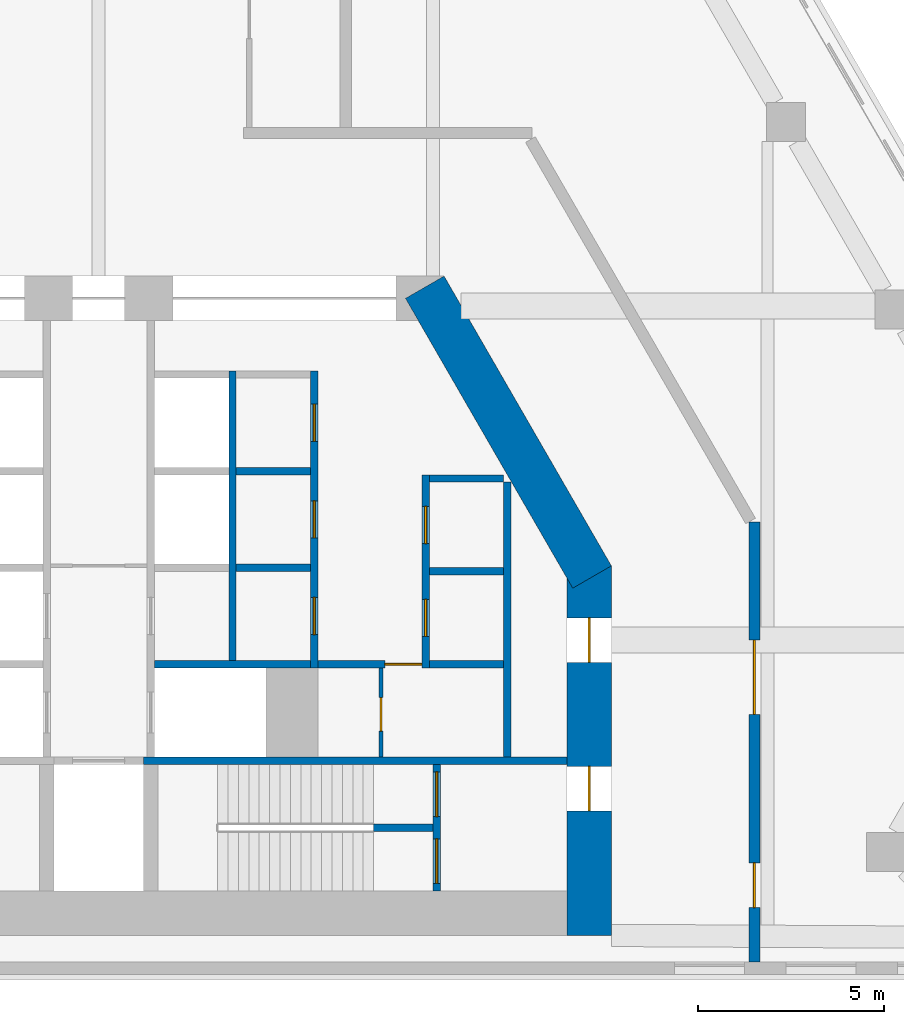
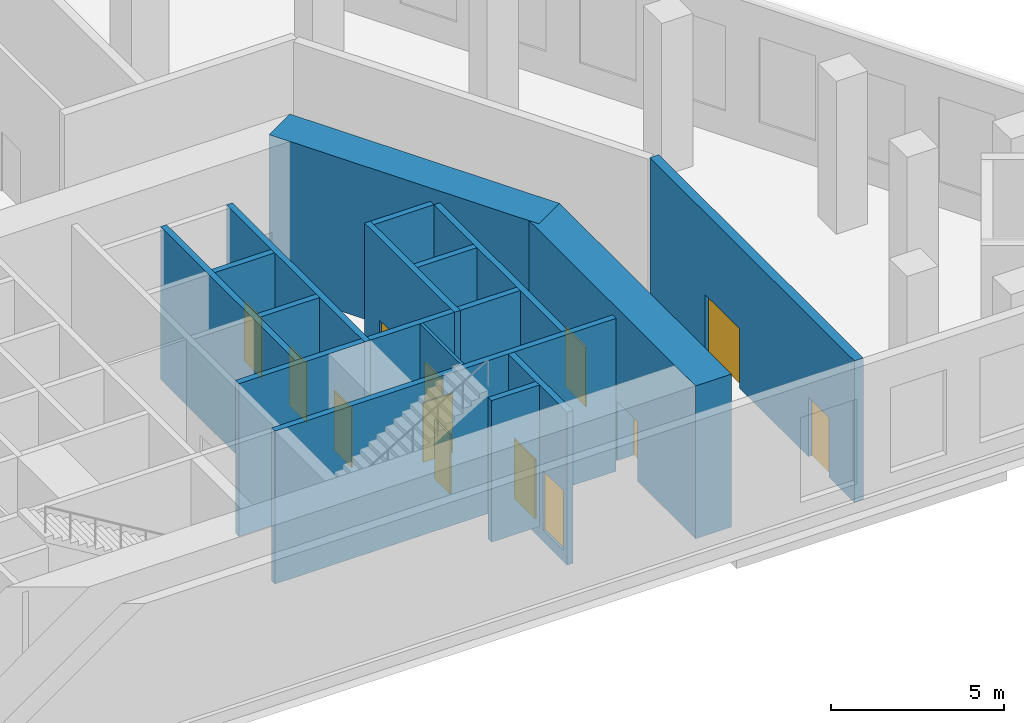
# One storey, part 6 of 10: 18 walls, 13 doors, 13 openings.
"""IFC4 building model written with IfcOpenShell, lengths in metres."""

from ifc_helpers import new_model, si_unit, direction, frame, frame_2d, origin, place, context, subcontext, project, spatial, rectangle, extrude, material, layer, layer_set, type_object, element, fill, save


model = new_model("IFC4")

# Units and contexts
model_context = context("Model", 3, precision=1e-05, world=origin(), true_north=direction((0.0, 1.0)))
body_context = subcontext(model_context, "Body", "Model", "MODEL_VIEW")
ifc_project = project(units=[si_unit("LENGTHUNIT", "METRE"), si_unit("AREAUNIT", "SQUARE_METRE"), si_unit("VOLUMEUNIT", "CUBIC_METRE"), si_unit("PLANEANGLEUNIT", "RADIAN"), si_unit("MASSUNIT", "GRAM", prefix="KILO")], contexts=[model_context])

# Site, building, storey
site_placement = place(None, origin())
site = spatial("IfcSite", under=ifc_project, at=site_placement, CompositionType="ELEMENT")
building_placement = place(site_placement, origin())
building = spatial("IfcBuilding", under=site, at=building_placement, Name="Fogline Exchange Tower", CompositionType="ELEMENT")
storey_placement = place(building_placement, frame((0.0, 0.0, 132.10009765625)))
storey = spatial("IfcBuildingStorey", under=building, at=storey_placement, Name="L29", CompositionType="ELEMENT", Elevation=132.10009765625)

# Wall, opening, door
ifc_material_1 = material(Name="Blockwork partition", Category="masonry")
ifc_layer_1 = layer(ifc_material_1, 0.10009765625)
ifc_layer_set_1 = layer_set([ifc_layer_1], Name="CW10")
wall_type_1 = type_object("IfcWallType", Name="CW10", PredefinedType="PARTITIONING", material=ifc_layer_set_1)
wall_1_placement = place(storey_placement, frame((7.60009765625, 5.85009765625, 0.0), z_axis=(0.0, 0.0, 1.0), x_axis=(0.0, 1.0, 0.0)))
wall_1 = element("IfcWall", 1, at=wall_1_placement, inside=storey, type_object=wall_type_1, Name="WC partition", PredefinedType="PARTITIONING", context=body_context, shape_type="SweptSolid", body=[
    extrude(rectangle(XDim=2.39990234375, YDim=0.10009765625, at=frame_2d((1.199951171875, 0.0))), origin(), (0.0, 0.0, 1.0), 5.0),
])
opening_1_placement = place(wall_1_placement, frame((0.699951171875, 0.0, 0.0)))
opening_1 = element("IfcOpeningElement", 2, at=opening_1_placement, cuts=wall_1, Name="Opening L29-C013", PredefinedType="OPENING", context=body_context, shape_type="SweptSolid", body=[
    extrude(rectangle(XDim=0.89990234375, YDim=2.10009765625, at=frame_2d((0.449951171875, 1.050048828125))), frame((0.0, 0.06005859375, 0.0), z_axis=(0.0, -1.0, 0.0), x_axis=(1.0, 0.0, 0.0)), (0.0, 0.0, 1.0), 0.1201171875),
])
ifc_material_2 = material(Name="Steel and timber fire door", Category="steel")
door_type_1 = type_object("IfcDoorType", Name="D-CS1", OperationType="SINGLE_SWING_RIGHT", PredefinedType="DOOR", material=ifc_material_2)
door_1_placement = place(opening_1_placement, origin())
door_1 = element("IfcDoor", 3, at=door_1_placement, inside=storey, type_object=door_type_1, Name="Door to AHU Room", OperationType="SINGLE_SWING_LEFT", OverallHeight=2.10009765625, OverallWidth=0.89990234375, PredefinedType="DOOR", context=body_context, shape_type="SweptSolid", body=[
    extrude(rectangle(XDim=0.89990234375, YDim=2.10009765625, at=frame_2d((0.449951171875, 1.050048828125))), frame((0.0, 0.02490234375, 0.0), z_axis=(0.0, -1.0, 0.0), x_axis=(1.0, 0.0, 0.0)), (0.0, 0.0, 1.0), 0.050048828125),
])
fill(opening_1, door_1)

# Wall
ifc_material_3 = material(Name="Concrete C40", Category="concrete")
ifc_layer_2 = layer(ifc_material_3, 0.199951171875)
ifc_layer_set_2 = layer_set([ifc_layer_2], Name="CW20")
wall_type_2 = type_object("IfcWallType", Name="CW20", PredefinedType="SOLIDWALL", material=ifc_layer_set_2)
wall_2_placement = place(storey_placement, frame((11.0, 5.85009765625, 0.0), z_axis=(0.0, 0.0, 1.0), x_axis=(0.0, 1.0, 0.0)))
element("IfcWall", 4, at=wall_2_placement, inside=storey, type_object=wall_type_2, Name="Service room wall", PredefinedType="SOLIDWALL", context=body_context, shape_type="SweptSolid", body=[
    extrude(rectangle(XDim=7.39990234375, YDim=0.199951171875, at=frame_2d((3.699951171875, 0.0))), origin(), (0.0, 0.0, 1.0), 5.0),
])

# Wall, opening, door
wall_3_placement = place(storey_placement, frame((5.89990234375, 8.35009765625, 0.0), z_axis=(0.0, 0.0, 1.0), x_axis=(1.0, 0.0, 0.0)))
wall_3 = element("IfcWall", 5, at=wall_3_placement, inside=storey, type_object=wall_type_2, Name="WC wall", PredefinedType="SOLIDWALL", context=body_context, shape_type="SweptSolid", body=[
    extrude(rectangle(XDim=2.800048828125, YDim=0.199951171875, at=frame_2d((1.39990234375, 0.0))), origin(), (0.0, 0.0, 1.0), 5.0),
])
opening_2_placement = place(wall_3_placement, frame((1.800048828125, 0.0, 0.0)))
opening_2 = element("IfcOpeningElement", 6, at=opening_2_placement, cuts=wall_3, Name="Opening L29-C012", PredefinedType="OPENING", context=body_context, shape_type="SweptSolid", body=[
    extrude(rectangle(XDim=1.0, YDim=2.10009765625, at=frame_2d((0.5, 1.050048828125))), frame((0.0, 0.10986328125, 0.0), z_axis=(0.0, -1.0, 0.0), x_axis=(1.0, 0.0, 0.0)), (0.0, 0.0, 1.0), 0.219970703125),
])
door_type_2 = type_object("IfcDoorType", Name="D-WC1", OperationType="SINGLE_SWING_LEFT", PredefinedType="DOOR", material=ifc_material_2)
door_2_placement = place(opening_2_placement, frame((1.0, 0.0, 0.0), z_axis=(0.0, 0.0, 1.0), x_axis=(-1.0, 0.0, 0.0)))
door_2 = element("IfcDoor", 7, at=door_2_placement, inside=storey, type_object=door_type_2, Name="Door to Women's WC", OperationType="SINGLE_SWING_LEFT", OverallHeight=2.10009765625, OverallWidth=1.0, PredefinedType="DOOR", context=body_context, shape_type="SweptSolid", body=[
    extrude(rectangle(XDim=1.0, YDim=2.10009765625, at=frame_2d((0.5, 1.050048828125))), frame((0.0, 0.02490234375, 0.0), z_axis=(0.0, -1.0, 0.0), x_axis=(1.0, 0.0, 0.0)), (0.0, 0.0, 1.0), 0.050048828125),
])
fill(opening_2, door_2)

# Walls
ifc_layer_3 = layer(ifc_material_3, 0.199951171875)
ifc_layer_set_3 = layer_set([ifc_layer_3], Name="CW20B")
wall_type_3 = type_object("IfcWallType", Name="CW20B", PredefinedType="SOLIDWALL", material=ifc_layer_set_3)
wall_4_placement = place(storey_placement, frame((7.39990234375, 3.949951171875, 0.0), z_axis=(0.0, 0.0, 1.0), x_axis=(1.0, 0.0, 0.0)))
element("IfcWall", 8, at=wall_4_placement, inside=storey, type_object=wall_type_3, Name="Stair separation wall", PredefinedType="SOLIDWALL", context=body_context, shape_type="SweptSolid", body=[
    extrude(rectangle(XDim=1.60009765625, YDim=0.199951171875, at=frame_2d((0.800048828125, 0.0))), origin(), (0.0, 0.0, 1.0), 5.0),
])
ifc_layer_4 = layer(ifc_material_3, 0.199951171875)
ifc_layer_set_4 = layer_set([ifc_layer_4], Name="CW20R")
wall_type_4 = type_object("IfcWallType", Name="CW20R", PredefinedType="SOLIDWALL", material=ifc_layer_set_4)
wall_5_placement = place(storey_placement, frame((1.199951171875, 5.75, -0.400146484375), z_axis=(0.0, 0.0, 1.0), x_axis=(1.0, 0.0, 0.0)))
element("IfcWall", 9, at=wall_5_placement, inside=storey, type_object=wall_type_4, Name="Stair enclosure wall", PredefinedType="SOLIDWALL", context=body_context, shape_type="SweptSolid", body=[
    extrude(rectangle(XDim=11.400146484375, YDim=0.199951171875, at=frame_2d((5.7001953125, 0.0))), origin(), (0.0, 0.0, 1.0), 5.400146484375),
])

# Wall, openings, doors
wall_6_placement = place(storey_placement, frame((9.10009765625, 2.25, -0.400146484375), z_axis=(0.0, 0.0, 1.0), x_axis=(0.0, 1.0, 0.0)))
wall_6 = element("IfcWall", 10, at=wall_6_placement, inside=storey, type_object=wall_type_4, Name="Stair enclosure wall", PredefinedType="SOLIDWALL", context=body_context, shape_type="SweptSolid", body=[
    extrude(rectangle(XDim=3.39990234375, YDim=0.199951171875, at=frame_2d((1.699951171875, 0.0))), origin(), (0.0, 0.0, 1.0), 5.400146484375),
])
opening_3_placement = place(wall_6_placement, frame((0.199951171875, 0.0, 0.39990234375)))
opening_3 = element("IfcOpeningElement", 11, at=opening_3_placement, cuts=wall_6, Name="Opening L29-C015", PredefinedType="OPENING", context=body_context, shape_type="SweptSolid", body=[
    extrude(rectangle(XDim=1.199951171875, YDim=2.10009765625, at=frame_2d((0.60009765625, 1.050048828125))), frame((0.0, 0.10986328125, 0.0), z_axis=(0.0, -1.0, 0.0), x_axis=(1.0, 0.0, 0.0)), (0.0, 0.0, 1.0), 0.219970703125),
])
opening_4_placement = place(wall_6_placement, frame((2.0, 0.0, 0.39990234375)))
opening_4 = element("IfcOpeningElement", 12, at=opening_4_placement, cuts=wall_6, Name="Opening L29-C022", PredefinedType="OPENING", context=body_context, shape_type="SweptSolid", body=[
    extrude(rectangle(XDim=1.199951171875, YDim=2.10009765625, at=frame_2d((0.60009765625, 1.050048828125))), frame((0.0, 0.10986328125, 0.0), z_axis=(0.0, -1.0, 0.0), x_axis=(1.0, 0.0, 0.0)), (0.0, 0.0, 1.0), 0.219970703125),
])
door_type_3 = type_object("IfcDoorType", Name="D-ST1", OperationType="SINGLE_SWING_LEFT", PredefinedType="DOOR", material=ifc_material_2)
door_3_placement = place(opening_3_placement, origin())
door_3 = element("IfcDoor", 13, at=door_3_placement, inside=storey, type_object=door_type_3, Name="Stair door ST2", OperationType="SINGLE_SWING_LEFT", OverallHeight=2.10009765625, OverallWidth=1.199951171875, PredefinedType="DOOR", context=body_context, shape_type="SweptSolid", body=[
    extrude(rectangle(XDim=1.199951171875, YDim=2.10009765625, at=frame_2d((0.60009765625, 1.050048828125))), frame((0.0, 0.02490234375, 0.0), z_axis=(0.0, -1.0, 0.0), x_axis=(1.0, 0.0, 0.0)), (0.0, 0.0, 1.0), 0.050048828125),
])
fill(opening_3, door_3)
door_4_placement = place(opening_4_placement, frame((1.199951171875, 0.0, 0.0), z_axis=(0.0, 0.0, 1.0), x_axis=(-1.0, 0.0, 0.0)))
door_4 = element("IfcDoor", 14, at=door_4_placement, inside=storey, type_object=door_type_3, Name="Stair arrival door ST2", OperationType="SINGLE_SWING_LEFT", OverallHeight=2.10009765625, OverallWidth=1.199951171875, PredefinedType="DOOR", context=body_context, shape_type="SweptSolid", body=[
    extrude(rectangle(XDim=1.199951171875, YDim=2.10009765625, at=frame_2d((0.60009765625, 1.050048828125))), frame((0.0, 0.02490234375, 0.0), z_axis=(0.0, -1.0, 0.0), x_axis=(1.0, 0.0, 0.0)), (0.0, 0.0, 1.0), 0.050048828125),
])
fill(opening_4, door_4)

ifc_layer_5 = layer(ifc_material_3, 0.199951171875)
ifc_layer_set_5 = layer_set([ifc_layer_5], Name="CW20S")
wall_type_5 = type_object("IfcWallType", Name="CW20S", PredefinedType="SOLIDWALL", material=ifc_layer_set_5)
wall_7_placement = place(storey_placement, frame((8.800048828125, 8.25, -0.400146484375), z_axis=(0.0, 0.0, 1.0), x_axis=(0.0, 1.0, 0.0)))
wall_7 = element("IfcWall", 15, at=wall_7_placement, inside=storey, type_object=wall_type_5, Name="Lift shaft wall", PredefinedType="SOLIDWALL", context=body_context, shape_type="SweptSolid", body=[
    extrude(rectangle(XDim=5.199951171875, YDim=0.199951171875, at=frame_2d((2.60009765625, 0.0))), origin(), (0.0, 0.0, 1.0), 5.400146484375),
])
opening_5_placement = place(wall_7_placement, frame((0.85009765625, 0.0, 0.39990234375)))
opening_5 = element("IfcOpeningElement", 16, at=opening_5_placement, cuts=wall_7, Name="Opening L29-C001", PredefinedType="OPENING", context=body_context, shape_type="SweptSolid", body=[
    extrude(rectangle(XDim=1.0, YDim=2.10009765625, at=frame_2d((0.5, 1.050048828125))), frame((0.0, 0.10986328125, 0.0), z_axis=(0.0, -1.0, 0.0), x_axis=(1.0, 0.0, 0.0)), (0.0, 0.0, 1.0), 0.219970703125),
])
opening_6_placement = place(wall_7_placement, frame((3.35009765625, 0.0, 0.39990234375)))
opening_6 = element("IfcOpeningElement", 17, at=opening_6_placement, cuts=wall_7, Name="Opening L29-C002", PredefinedType="OPENING", context=body_context, shape_type="SweptSolid", body=[
    extrude(rectangle(XDim=1.0, YDim=2.10009765625, at=frame_2d((0.5, 1.050048828125))), frame((0.0, 0.10986328125, 0.0), z_axis=(0.0, -1.0, 0.0), x_axis=(1.0, 0.0, 0.0)), (0.0, 0.0, 1.0), 0.219970703125),
])
door_type_4 = type_object("IfcDoorType", Name="D-RM1", OperationType="SINGLE_SWING_LEFT", PredefinedType="DOOR", material=ifc_material_2)
door_5_placement = place(opening_5_placement, frame((1.0, 0.0, 0.0), z_axis=(0.0, 0.0, 1.0), x_axis=(-1.0, 0.0, 0.0)))
door_5 = element("IfcDoor", 18, at=door_5_placement, inside=storey, type_object=door_type_4, Name="Door to Plant Room", OperationType="SINGLE_SWING_LEFT", OverallHeight=2.10009765625, OverallWidth=1.0, PredefinedType="DOOR", context=body_context, shape_type="SweptSolid", body=[
    extrude(rectangle(XDim=1.0, YDim=2.10009765625, at=frame_2d((0.5, 1.050048828125))), frame((0.0, 0.02490234375, 0.0), z_axis=(0.0, -1.0, 0.0), x_axis=(1.0, 0.0, 0.0)), (0.0, 0.0, 1.0), 0.050048828125),
])
fill(opening_5, door_5)
door_6_placement = place(opening_6_placement, frame((1.0, 0.0, 0.0), z_axis=(0.0, 0.0, 1.0), x_axis=(-1.0, 0.0, 0.0)))
door_6 = element("IfcDoor", 19, at=door_6_placement, inside=storey, type_object=door_type_4, Name="Door to Mechanical Room", OperationType="SINGLE_SWING_LEFT", OverallHeight=2.10009765625, OverallWidth=1.0, PredefinedType="DOOR", context=body_context, shape_type="SweptSolid", body=[
    extrude(rectangle(XDim=1.0, YDim=2.10009765625, at=frame_2d((0.5, 1.050048828125))), frame((0.0, 0.02490234375, 0.0), z_axis=(0.0, -1.0, 0.0), x_axis=(1.0, 0.0, 0.0)), (0.0, 0.0, 1.0), 0.050048828125),
])
fill(opening_6, door_6)

wall_8_placement = place(storey_placement, frame((5.800048828125, 8.25, -0.400146484375), z_axis=(0.0, 0.0, 1.0), x_axis=(0.0, 1.0, 0.0)))
wall_8 = element("IfcWall", 20, at=wall_8_placement, inside=storey, type_object=wall_type_5, Name="Lift shaft wall", PredefinedType="SOLIDWALL", context=body_context, shape_type="SweptSolid", body=[
    extrude(rectangle(XDim=8.0, YDim=0.199951171875, at=frame_2d((4.0, 0.0))), origin(), (0.0, 0.0, 1.0), 5.400146484375),
])
opening_7_placement = place(wall_8_placement, frame((0.89990234375, 0.0, 0.39990234375)))
opening_7 = element("IfcOpeningElement", 21, at=opening_7_placement, cuts=wall_8, Name="Opening L29-C003", PredefinedType="OPENING", context=body_context, shape_type="SweptSolid", body=[
    extrude(rectangle(XDim=1.0, YDim=2.10009765625, at=frame_2d((0.5, 1.050048828125))), frame((0.0, 0.10986328125, 0.0), z_axis=(0.0, -1.0, 0.0), x_axis=(1.0, 0.0, 0.0)), (0.0, 0.0, 1.0), 0.219970703125),
])
opening_8_placement = place(wall_8_placement, frame((3.5, 0.0, 0.39990234375)))
opening_8 = element("IfcOpeningElement", 22, at=opening_8_placement, cuts=wall_8, Name="Opening L29-C004", PredefinedType="OPENING", context=body_context, shape_type="SweptSolid", body=[
    extrude(rectangle(XDim=1.0, YDim=2.10009765625, at=frame_2d((0.5, 1.050048828125))), frame((0.0, 0.10986328125, 0.0), z_axis=(0.0, -1.0, 0.0), x_axis=(1.0, 0.0, 0.0)), (0.0, 0.0, 1.0), 0.219970703125),
])
opening_9_placement = place(wall_8_placement, frame((6.10009765625, 0.0, 0.39990234375)))
opening_9 = element("IfcOpeningElement", 23, at=opening_9_placement, cuts=wall_8, Name="Opening L29-C005", PredefinedType="OPENING", context=body_context, shape_type="SweptSolid", body=[
    extrude(rectangle(XDim=1.0, YDim=2.10009765625, at=frame_2d((0.5, 1.050048828125))), frame((0.0, 0.10986328125, 0.0), z_axis=(0.0, -1.0, 0.0), x_axis=(1.0, 0.0, 0.0)), (0.0, 0.0, 1.0), 0.219970703125),
])
door_7_placement = place(opening_7_placement, origin())
door_7 = element("IfcDoor", 24, at=door_7_placement, inside=storey, type_object=door_type_4, Name="Door to AHU Room", OperationType="SINGLE_SWING_RIGHT", OverallHeight=2.10009765625, OverallWidth=1.0, PredefinedType="DOOR", context=body_context, shape_type="SweptSolid", body=[
    extrude(rectangle(XDim=1.0, YDim=2.10009765625, at=frame_2d((0.5, 1.050048828125))), frame((0.0, 0.02490234375, 0.0), z_axis=(0.0, -1.0, 0.0), x_axis=(1.0, 0.0, 0.0)), (0.0, 0.0, 1.0), 0.050048828125),
])
fill(opening_7, door_7)
door_8_placement = place(opening_8_placement, origin())
door_8 = element("IfcDoor", 25, at=door_8_placement, inside=storey, type_object=door_type_4, Name="Door to Transformer Room", OperationType="SINGLE_SWING_LEFT", OverallHeight=2.10009765625, OverallWidth=1.0, PredefinedType="DOOR", context=body_context, shape_type="SweptSolid", body=[
    extrude(rectangle(XDim=1.0, YDim=2.10009765625, at=frame_2d((0.5, 1.050048828125))), frame((0.0, 0.02490234375, 0.0), z_axis=(0.0, -1.0, 0.0), x_axis=(1.0, 0.0, 0.0)), (0.0, 0.0, 1.0), 0.050048828125),
])
fill(opening_8, door_8)
door_9_placement = place(opening_9_placement, origin())
door_9 = element("IfcDoor", 26, at=door_9_placement, inside=storey, type_object=door_type_4, Name="Door to Switch Room", OperationType="SINGLE_SWING_LEFT", OverallHeight=2.10009765625, OverallWidth=1.0, PredefinedType="DOOR", context=body_context, shape_type="SweptSolid", body=[
    extrude(rectangle(XDim=1.0, YDim=2.10009765625, at=frame_2d((0.5, 1.050048828125))), frame((0.0, 0.02490234375, 0.0), z_axis=(0.0, -1.0, 0.0), x_axis=(1.0, 0.0, 0.0)), (0.0, 0.0, 1.0), 0.050048828125),
])
fill(opening_9, door_9)

# Walls
wall_9_placement = place(storey_placement, frame((3.60009765625, 8.449951171875, -0.400146484375), z_axis=(0.0, 0.0, 1.0), x_axis=(0.0, 1.0, 0.0)))
element("IfcWall", 27, at=wall_9_placement, inside=storey, type_object=wall_type_5, Name="Lift shaft wall", PredefinedType="SOLIDWALL", context=body_context, shape_type="SweptSolid", body=[
    extrude(rectangle(XDim=7.800048828125, YDim=0.199951171875, at=frame_2d((3.89990234375, 0.0))), origin(), (0.0, 0.0, 1.0), 5.400146484375),
])
wall_10_placement = place(storey_placement, frame((8.89990234375, 8.35009765625, -0.400146484375), z_axis=(0.0, 0.0, 1.0), x_axis=(1.0, 0.0, 0.0)))
element("IfcWall", 28, at=wall_10_placement, inside=storey, type_object=wall_type_5, Name="Lift shaft wall", PredefinedType="SOLIDWALL", context=body_context, shape_type="SweptSolid", body=[
    extrude(rectangle(XDim=2.0, YDim=0.199951171875, at=frame_2d((1.0, 0.0))), origin(), (0.0, 0.0, 1.0), 5.400146484375),
])
wall_11_placement = place(storey_placement, frame((1.5, 8.35009765625, -0.400146484375), z_axis=(0.0, 0.0, 1.0), x_axis=(1.0, 0.0, 0.0)))
element("IfcWall", 29, at=wall_11_placement, inside=storey, type_object=wall_type_5, Name="Lift shaft wall", PredefinedType="SOLIDWALL", context=body_context, shape_type="SweptSolid", body=[
    extrude(rectangle(XDim=4.199951171875, YDim=0.199951171875, at=frame_2d((2.10009765625, 0.0))), origin(), (0.0, 0.0, 1.0), 5.400146484375),
])
for number, where, z_axis, x_axis, name in (
    (30, (8.89990234375, 10.85009765625, -0.400146484375), (0.0, 0.0, 1.0), (1.0, 0.0, 0.0), "Lift shaft wall"),
    (31, (8.89990234375, 13.35009765625, -0.400146484375), (0.0, 0.0, 1.0), (1.0, 0.0, 0.0), "Lift shaft wall"),
    (32, (3.699951171875, 10.949951171875, -0.400146484375), (0.0, 0.0, 1.0), (1.0, 0.0, 0.0), "Lift shaft wall"),
    (33, (3.699951171875, 13.550048828125, -0.400146484375), (0.0, 0.0, 1.0), (1.0, 0.0, 0.0), "Lift shaft wall"),
):
    element("IfcWall", number, at=place(storey_placement, frame(where, z_axis=z_axis, x_axis=x_axis)), inside=storey, type_object=wall_type_5, Name=name, PredefinedType="SOLIDWALL", context=body_context, shape_type="SweptSolid", body=[
        extrude(rectangle(XDim=2.0, YDim=0.199951171875, at=frame_2d((1.0, 0.0))), origin(), (0.0, 0.0, 1.0), 5.400146484375),
    ])

# Wall, openings, doors
ifc_layer_6 = layer(ifc_material_3, 0.300048828125)
ifc_layer_set_6 = layer_set([ifc_layer_6], Name="PP4")
wall_type_6 = type_object("IfcWallType", Name="PP4", PredefinedType="SOLIDWALL", material=ifc_layer_set_6)
wall_12_placement = place(storey_placement, frame((17.64990234375, 12.1806640625, 0.0), z_axis=(0.0, 0.0, 1.0), x_axis=(0.0, -1.0, 0.0)))
wall_12 = element("IfcWall", 34, at=wall_12_placement, inside=storey, type_object=wall_type_6, Name="PP4 partition", PredefinedType="SOLIDWALL", context=body_context, shape_type="SweptSolid", body=[
    extrude(rectangle(XDim=11.840576171875, YDim=0.300048828125, at=frame_2d((5.92041015625, 0.0))), origin(), (0.0, 0.0, 1.0), 5.0),
])
opening_10_placement = place(wall_12_placement, frame((3.1806640625, 0.0, 0.0)))
opening_10 = element("IfcOpeningElement", 35, at=opening_10_placement, cuts=wall_12, Name="Opening L29-D009", PredefinedType="OPENING", context=body_context, shape_type="SweptSolid", body=[
    extrude(rectangle(XDim=2.0, YDim=2.10009765625, at=frame_2d((1.0, 1.050048828125))), frame((0.0, 0.16015625, 0.0), z_axis=(0.0, -1.0, 0.0), x_axis=(1.0, 0.0, 0.0)), (0.0, 0.0, 1.0), 0.320068359375),
])
opening_11_placement = place(wall_12_placement, frame((9.1806640625, 0.0, 0.0)))
opening_11 = element("IfcOpeningElement", 36, at=opening_11_placement, cuts=wall_12, Name="Opening L29-D010", PredefinedType="OPENING", context=body_context, shape_type="SweptSolid", body=[
    extrude(rectangle(XDim=1.199951171875, YDim=2.10009765625, at=frame_2d((0.60009765625, 1.050048828125))), frame((0.0, 0.16015625, 0.0), z_axis=(0.0, -1.0, 0.0), x_axis=(1.0, 0.0, 0.0)), (0.0, 0.0, 1.0), 0.320068359375),
])
ifc_material_4 = material(Name="Steel Q235B", Category="steel")
door_type_5 = type_object("IfcDoorType", Name="PD6", OperationType="DOUBLE_DOOR_SINGLE_SWING", PredefinedType="DOOR", material=ifc_material_4)
door_10_placement = place(opening_10_placement, frame((2.0, 0.0, 0.0), z_axis=(0.0, 0.0, 1.0), x_axis=(-1.0, 0.0, 0.0)))
door_10 = element("IfcDoor", 37, at=door_10_placement, inside=storey, type_object=door_type_5, Name="L29-D009", OperationType="DOUBLE_DOOR_SINGLE_SWING", OverallHeight=2.10009765625, OverallWidth=2.0, PredefinedType="DOOR", context=body_context, shape_type="SweptSolid", body=[
    extrude(rectangle(XDim=2.0, YDim=2.10009765625, at=frame_2d((1.0, 1.050048828125))), frame((0.0, 0.02490234375, 0.0), z_axis=(0.0, -1.0, 0.0), x_axis=(1.0, 0.0, 0.0)), (0.0, 0.0, 1.0), 0.050048828125),
])
fill(opening_10, door_10)
door_type_6 = type_object("IfcDoorType", Name="PD7", OperationType="SINGLE_SWING_LEFT", PredefinedType="DOOR", material=ifc_material_4)
door_11_placement = place(opening_11_placement, frame((1.199951171875, 0.0, 0.0), z_axis=(0.0, 0.0, 1.0), x_axis=(-1.0, 0.0, 0.0)))
door_11 = element("IfcDoor", 38, at=door_11_placement, inside=storey, type_object=door_type_6, Name="L29-D010", OperationType="SINGLE_SWING_LEFT", OverallHeight=2.10009765625, OverallWidth=1.199951171875, PredefinedType="DOOR", context=body_context, shape_type="SweptSolid", body=[
    extrude(rectangle(XDim=1.199951171875, YDim=2.10009765625, at=frame_2d((0.60009765625, 1.050048828125))), frame((0.0, 0.02490234375, 0.0), z_axis=(0.0, -1.0, 0.0), x_axis=(1.0, 0.0, 0.0)), (0.0, 0.0, 1.0), 0.050048828125),
])
fill(opening_11, door_11)

ifc_material_5 = material(Name="Concrete C60", Category="concrete")
ifc_layer_7 = layer(ifc_material_5, 1.199951171875)
ifc_layer_set_7 = layer_set([ifc_layer_7], Name="SW02")
wall_type_7 = type_object("IfcWallType", Name="SW02", PredefinedType="SHEAR", material=ifc_layer_set_7)
wall_13_placement = place(storey_placement, frame((13.199951171875, 1.050048828125, 0.0), z_axis=(0.0, 0.0, 1.0), x_axis=(0.0, 1.0, 0.0)))
wall_13 = element("IfcWall", 39, at=wall_13_placement, inside=storey, type_object=wall_type_7, Name="L29-W902", PredefinedType="SHEAR", context=body_context, shape_type="SweptSolid", body=[
    extrude(rectangle(XDim=9.948974609375, YDim=1.199951171875, at=frame_2d((4.974609375, 0.0))), origin(), (0.0, 0.0, 1.0), 5.39990234375),
])
opening_12_placement = place(wall_13_placement, frame((3.35009765625, 0.0, 0.0)))
opening_12 = element("IfcOpeningElement", 40, at=opening_12_placement, cuts=wall_13, Name="Opening L29-C014", PredefinedType="OPENING", context=body_context, shape_type="SweptSolid", body=[
    extrude(rectangle(XDim=1.199951171875, YDim=2.10009765625, at=frame_2d((0.60009765625, 1.050048828125))), frame((0.0, 0.60986328125, 0.0), z_axis=(0.0, -1.0, 0.0), x_axis=(1.0, 0.0, 0.0)), (0.0, 0.0, 1.0), 1.219970703125),
])
opening_13_placement = place(wall_13_placement, frame((7.35009765625, 0.0, 0.0)))
opening_13 = element("IfcOpeningElement", 41, at=opening_13_placement, cuts=wall_13, Name="Opening L29-C016", PredefinedType="OPENING", context=body_context, shape_type="SweptSolid", body=[
    extrude(rectangle(XDim=1.199951171875, YDim=2.10009765625, at=frame_2d((0.60009765625, 1.050048828125))), frame((0.0, 0.60986328125, 0.0), z_axis=(0.0, -1.0, 0.0), x_axis=(1.0, 0.0, 0.0)), (0.0, 0.0, 1.0), 1.219970703125),
])
door_type_7 = type_object("IfcDoorType", Name="D-FR1", OperationType="SINGLE_SWING_RIGHT", PredefinedType="DOOR", material=ifc_material_2)
door_12_placement = place(opening_12_placement, origin())
door_12 = element("IfcDoor", 42, at=door_12_placement, inside=storey, type_object=door_type_7, Name="Front room door ST2", OperationType="SINGLE_SWING_RIGHT", OverallHeight=2.10009765625, OverallWidth=1.199951171875, PredefinedType="DOOR", context=body_context, shape_type="SweptSolid", body=[
    extrude(rectangle(XDim=1.199951171875, YDim=2.10009765625, at=frame_2d((0.60009765625, 1.050048828125))), frame((0.0, 0.02490234375, 0.0), z_axis=(0.0, -1.0, 0.0), x_axis=(1.0, 0.0, 0.0)), (0.0, 0.0, 1.0), 0.050048828125),
])
fill(opening_12, door_12)
door_type_8 = type_object("IfcDoorType", Name="D-SV1", OperationType="SINGLE_SWING_LEFT", PredefinedType="DOOR", material=ifc_material_2)
door_13_placement = place(opening_13_placement, origin())
door_13 = element("IfcDoor", 43, at=door_13_placement, inside=storey, type_object=door_type_8, Name="Service door E", OperationType="SINGLE_SWING_RIGHT", OverallHeight=2.10009765625, OverallWidth=1.199951171875, PredefinedType="DOOR", context=body_context, shape_type="SweptSolid", body=[
    extrude(rectangle(XDim=1.199951171875, YDim=2.10009765625, at=frame_2d((0.60009765625, 1.050048828125))), frame((0.0, 0.02490234375, 0.0), z_axis=(0.0, -1.0, 0.0), x_axis=(1.0, 0.0, 0.0)), (0.0, 0.0, 1.0), 0.050048828125),
])
fill(opening_13, door_13)

# Wall
wall_14_placement = place(storey_placement, frame((13.280517578125, 10.698974609375, 0.0), z_axis=(0.0, 0.0, 1.0), x_axis=(-0.499998513025, 0.866026262288, 0.0)))
element("IfcWall", 44, at=wall_14_placement, inside=storey, type_object=wall_type_7, Name="L29-W903", PredefinedType="SHEAR", context=body_context, shape_type="SweptSolid", body=[
    extrude(rectangle(XDim=9.0078125, YDim=1.199951171875, at=frame_2d((4.50390625, 0.0))), origin(), (0.0, 0.0, 1.0), 5.39990234375),
])

save(model, "model.ifc")
